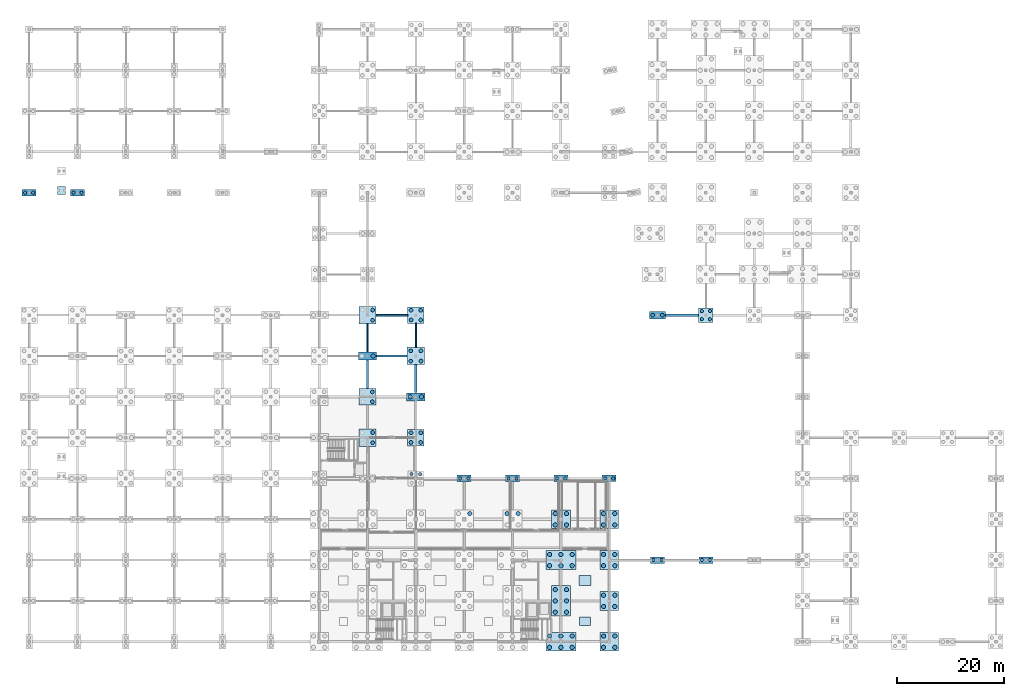
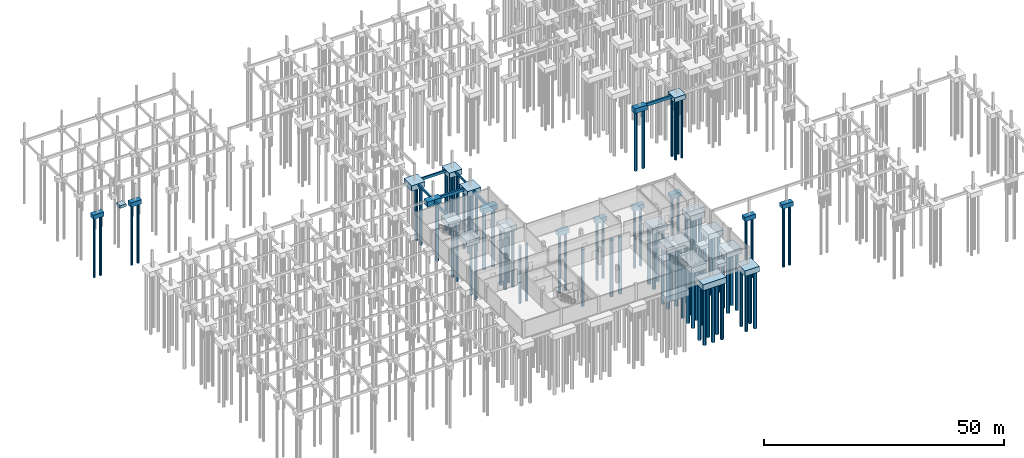
# One storey, part 5 of 28: 86 piles, 36 footings.
"""IFC4 building model written with IfcOpenShell, lengths in metres."""

from ifc_helpers import new_model, si_unit, direction, frame, origin, origin_2d, place, context, subcontext, project, spatial, rectangle, circle, extrude, material, layer, layer_set, material_profile, profile_set, type_object, element, save


model = new_model("IFC4")

# Units and contexts
model_context = context("Model", 3, precision=1e-05, world=origin(), true_north=direction((0.0, 1.0)))
body_context = subcontext(model_context, "Body", "Model", "MODEL_VIEW")
ifc_project = project(units=[si_unit("LENGTHUNIT", "METRE"), si_unit("AREAUNIT", "SQUARE_METRE"), si_unit("VOLUMEUNIT", "CUBIC_METRE"), si_unit("PLANEANGLEUNIT", "RADIAN"), si_unit("MASSUNIT", "GRAM", prefix="KILO")], contexts=[model_context])

# Site, building, storey
site_placement = place(None, origin())
site = spatial("IfcSite", under=ifc_project, at=site_placement, CompositionType="ELEMENT")
building_placement = place(site_placement, origin())
building = spatial("IfcBuilding", under=site, at=building_placement, Name="Caisbarro Railhouse Central Library", CompositionType="ELEMENT")
storey_placement = place(building_placement, frame((0.0, 0.0, -4.320068359375)))
storey = spatial("IfcBuildingStorey", under=building, at=storey_placement, Name="B01", CompositionType="ELEMENT", Elevation=-4.320068359375)

# Footings
ifc_material_1 = material(Name="Concrete C35", Category="concrete")
footing_type_1 = type_object("IfcFootingType", Name="FTG-FB01", PredefinedType="FOOTING_BEAM", material=ifc_material_1)
footing_1_placement = place(storey_placement, frame((67.53759765625, 60.800048828125, -0.64990234375), z_axis=(0.0, 0.0, 1.0), x_axis=(1.0, 0.0, 0.0)))
element("IfcFooting", 1, at=footing_1_placement, inside=storey, type_object=footing_type_1, Name="FB01 ground tie beam 152", PredefinedType="FOOTING_BEAM", context=body_context, shape_type="SweptSolid", body=[
    extrude(rectangle(XDim=5.821044921875, YDim=0.35009765625, at=origin_2d()), origin(), (0.0, 0.0, 1.0), 0.64990234375),
])
footing_type_2 = type_object("IfcFootingType", Name="FTG-FB02", PredefinedType="FOOTING_BEAM", material=ifc_material_1)
footing_2_placement = place(storey_placement, frame((63.0, 49.800048828125, -1.0), z_axis=(0.0, 0.0, 1.0), x_axis=(0.0, 1.0, 0.0)))
element("IfcFooting", 2, at=footing_2_placement, inside=storey, type_object=footing_type_2, Name="FB02 ground tie beam 149", PredefinedType="FOOTING_BEAM", context=body_context, shape_type="SweptSolid", body=[
    extrude(rectangle(XDim=5.2958984375, YDim=0.39990234375, at=origin_2d()), origin(), (0.0, 0.0, 1.0), 0.699951171875),
])
footing_type_3 = type_object("IfcFootingType", Name="FTG-FB03", PredefinedType="FOOTING_BEAM", material=ifc_material_1)
footing_3_placement = place(storey_placement, frame((67.53759765625, 53.199951171875, -0.75), z_axis=(0.0, 0.0, 1.0), x_axis=(1.0, 0.0, 0.0)))
element("IfcFooting", 3, at=footing_3_placement, inside=storey, type_object=footing_type_3, Name="FB03 ground tie beam 150", PredefinedType="FOOTING_BEAM", context=body_context, shape_type="SweptSolid", body=[
    extrude(rectangle(XDim=5.6708984375, YDim=0.449951171875, at=origin_2d()), origin(), (0.0, 0.0, 1.0), 0.75),
])
footing_4_placement = place(storey_placement, frame((72.0, 48.96240234375, -1.050048828125), z_axis=(0.0, 0.0, 1.0), x_axis=(0.0, 1.0, 0.0)))
element("IfcFooting", 4, at=footing_4_placement, inside=storey, type_object=footing_type_3, Name="FB03 ground tie beam 162", PredefinedType="FOOTING_BEAM", context=body_context, shape_type="SweptSolid", body=[
    extrude(rectangle(XDim=5.220947265625, YDim=0.449951171875, at=origin_2d()), origin(), (0.0, 0.0, 1.0), 0.75),
])
footing_5_placement = place(storey_placement, frame((121.574951171875, 60.800048828125, -0.75), z_axis=(0.0, 0.0, 1.0), x_axis=(1.0, 0.0, 0.0)))
element("IfcFooting", 5, at=footing_5_placement, inside=storey, type_object=footing_type_3, Name="FB03 ground tie beam 190", PredefinedType="FOOTING_BEAM", context=body_context, shape_type="SweptSolid", body=[
    extrude(rectangle(XDim=6.14599609375, YDim=0.449951171875, at=origin_2d()), origin(), (0.0, 0.0, 1.0), 0.75),
])
footing_type_4 = type_object("IfcFootingType", Name="FTG-FB04", PredefinedType="FOOTING_BEAM", material=ifc_material_1)
footing_6_placement = place(storey_placement, frame((63.0, 56.5625, -0.5498046875), z_axis=(0.0, 0.0, 1.0), x_axis=(0.0, 1.0, 0.0)))
element("IfcFooting", 6, at=footing_6_placement, inside=storey, type_object=footing_type_4, Name="FB04 ground tie beam 151", PredefinedType="FOOTING_BEAM", context=body_context, shape_type="SweptSolid", body=[
    extrude(rectangle(XDim=5.220947265625, YDim=0.300048828125, at=origin_2d()), origin(), (0.0, 0.0, 1.0), 0.550048828125),
])
footing_7_placement = place(storey_placement, frame((72.0, 57.03759765625, -0.5498046875), z_axis=(0.0, 0.0, 1.0), x_axis=(0.0, 1.0, 0.0)))
element("IfcFooting", 7, at=footing_7_placement, inside=storey, type_object=footing_type_4, Name="FB04 ground tie beam 163", PredefinedType="FOOTING_BEAM", context=body_context, shape_type="SweptSolid", body=[
    extrude(rectangle(XDim=4.4208984375, YDim=0.300048828125, at=origin_2d()), origin(), (0.0, 0.0, 1.0), 0.550048828125),
])
ifc_material_2 = material(Name="Concrete C40", Category="concrete")
ifc_layer_1 = layer(ifc_material_2, 1.10009765625, Name="Concrete C40")
ifc_layer_set_1 = layer_set([ifc_layer_1], Name="Concrete C40")
footing_type_5 = type_object("IfcFootingType", Name="FTG-PC02", PredefinedType="PILE_CAP", material=ifc_layer_set_1)
for number, where, z_axis, x_axis, name in (
    (8, (0.0, 83.60009765625, -1.10009765625), (0.0, 0.0, 1.0), (1.0, 0.0, 0.0), "PC02 pile cap (10)"),
    (9, (9.0, 83.60009765625, -1.10009765625), (0.0, 0.0, 1.0), (1.0, 0.0, 0.0), "PC02 pile cap (24)"),
    (10, (81.0, 30.39990234375, -1.449951171875), (0.0, 0.0, 1.0), (1.0, 0.0, 0.0), "PC02 pile cap (130)"),
    (11, (90.0, 30.39990234375, -1.449951171875), (0.0, 0.0, 1.0), (1.0, 0.0, 0.0), "PC02 pile cap (140)"),
    (12, (99.0, 30.39990234375, -1.449951171875), (0.0, 0.0, 1.0), (1.0, 0.0, 0.0), "PC02 pile cap (150)"),
    (13, (108.0, 30.39990234375, -1.449951171875), (0.0, 0.0, 1.0), (1.0, 0.0, 0.0), "PC02 pile cap (160)"),
    (14, (117.0, 15.199951171875, -1.10009765625), (0.0, 0.0, 1.0), (1.0, 0.0, 0.0), "PC02 link pile cap 2"),
    (15, (126.0, 15.199951171875, -1.10009765625), (0.0, 0.0, 1.0), (1.0, 0.0, 0.0), "PC02 link pile cap 3"),
):
    element("IfcFooting", number, at=place(storey_placement, frame(where, z_axis=z_axis, x_axis=x_axis)), inside=storey, type_object=footing_type_5, Name=name, PredefinedType="PILE_CAP", context=body_context, shape_type="SweptSolid", body=[
        extrude(rectangle(XDim=2.60009765625, YDim=1.199951171875, at=origin_2d()), origin(), (0.0, 0.0, 1.0), 1.10009765625),
    ])
ifc_layer_2 = layer(ifc_material_2, 1.199951171875, Name="Concrete C40")
ifc_layer_set_2 = layer_set([ifc_layer_2], Name="Concrete C40")
footing_type_6 = type_object("IfcFootingType", Name="FTG-PC04", PredefinedType="PILE_CAP", material=ifc_layer_set_2)
footing_8_placement = place(storey_placement, frame((126.0, 60.800048828125, -1.19970703125), z_axis=(0.0, 0.0, 1.0), x_axis=(1.0, 0.0, 0.0)))
element("IfcFooting", 16, at=footing_8_placement, inside=storey, type_object=footing_type_6, Name="PC04 pile cap (177)", PredefinedType="PILE_CAP", context=body_context, shape_type="SweptSolid", body=[
    extrude(rectangle(XDim=2.699951171875, YDim=2.699951171875, at=origin_2d()), origin(), (0.0, 0.0, 1.0), 1.199951171875),
])
ifc_layer_3 = layer(ifc_material_2, 1.219970703125, Name="Concrete C40")
ifc_layer_set_3 = layer_set([ifc_layer_3], Name="Concrete C40")
footing_type_7 = type_object("IfcFootingType", Name="FTG-PC05", PredefinedType="PILE_CAP", material=ifc_layer_set_3)
footing_9_placement = place(storey_placement, frame((117.0, 60.800048828125, -1.2197265625), z_axis=(0.0, 0.0, 1.0), x_axis=(1.0, 0.0, 0.0)))
element("IfcFooting", 17, at=footing_9_placement, inside=storey, type_object=footing_type_7, Name="PC05 pile cap (169)", PredefinedType="PILE_CAP", context=body_context, shape_type="SweptSolid", body=[
    extrude(rectangle(XDim=3.0, YDim=1.35009765625, at=origin_2d()), origin(), (0.0, 0.0, 1.0), 1.219970703125),
])
ifc_layer_4 = layer(ifc_material_2, 1.300048828125, Name="Concrete C40")
ifc_layer_set_4 = layer_set([ifc_layer_4], Name="Concrete C40")
footing_type_8 = type_object("IfcFootingType", Name="FTG-PC06", PredefinedType="PILE_CAP", material=ifc_layer_set_4)
for number, where, z_axis, x_axis, name in (
    (18, (63.0, 45.60009765625, -1.60009765625), (0.0, 0.0, 1.0), (1.0, 0.0, 0.0), "PC06 pile cap (102)"),
    (19, (72.0, 38.0, -1.60009765625), (0.0, 0.0, 1.0), (1.0, 0.0, 0.0), "PC06 pile cap (117)"),
    (20, (72.0, 60.800048828125, -1.2998046875), (0.0, 0.0, 1.0), (1.0, 0.0, 0.0), "PC06 pile cap (120)"),
):
    element("IfcFooting", number, at=place(storey_placement, frame(where, z_axis=z_axis, x_axis=x_axis)), inside=storey, type_object=footing_type_8, Name=name, PredefinedType="PILE_CAP", context=body_context, shape_type="SweptSolid", body=[
        extrude(rectangle(XDim=3.10009765625, YDim=3.10009765625, at=origin_2d()), origin(), (0.0, 0.0, 1.0), 1.300048828125),
    ])
ifc_layer_5 = layer(ifc_material_2, 1.320068359375, Name="Concrete C40")
ifc_layer_set_5 = layer_set([ifc_layer_5], Name="Concrete C40")
footing_type_9 = type_object("IfcFootingType", Name="FTG-PC07", PredefinedType="PILE_CAP", material=ifc_layer_set_5)
for number, where, z_axis, x_axis, name in (
    (21, (63.0, 53.199951171875, -1.31982421875), (0.0, 0.0, 1.0), (1.0, 0.0, 0.0), "PC07 pile cap (103)"),
    (22, (72.0, 45.60009765625, -1.6201171875), (0.0, 0.0, 1.0), (1.0, 0.0, 0.0), "PC07 pile cap (118)"),
):
    element("IfcFooting", number, at=place(storey_placement, frame(where, z_axis=z_axis, x_axis=x_axis)), inside=storey, type_object=footing_type_9, Name=name, PredefinedType="PILE_CAP", context=body_context, shape_type="SweptSolid", body=[
        extrude(rectangle(XDim=3.39990234375, YDim=1.5, at=origin_2d()), origin(), (0.0, 0.0, 1.0), 1.320068359375),
    ])
ifc_layer_6 = layer(ifc_material_2, 1.39990234375, Name="Concrete C40")
ifc_layer_set_6 = layer_set([ifc_layer_6], Name="Concrete C40")
footing_type_10 = type_object("IfcFootingType", Name="FTG-PC08", PredefinedType="PILE_CAP", material=ifc_layer_set_6)
for number, where, z_axis, x_axis, name in (
    (23, (99.0, 22.800048828125, -1.75), (0.0, 0.0, 1.0), (1.0, 0.0, 0.0), "PC08 pile cap (149)"),
    (24, (108.0, 0.0, -1.75), (0.0, 0.0, 1.0), (1.0, 0.0, 0.0), "PC08 pile cap (156)"),
    (25, (108.0, 7.60009765625, -1.75), (0.0, 0.0, 1.0), (1.0, 0.0, 0.0), "PC08 pile cap (157)"),
    (26, (108.0, 15.199951171875, -1.75), (0.0, 0.0, 1.0), (1.0, 0.0, 0.0), "PC08 pile cap (158)"),
    (27, (108.0, 22.800048828125, -1.75), (0.0, 0.0, 1.0), (1.0, 0.0, 0.0), "PC08 pile cap (159)"),
):
    element("IfcFooting", number, at=place(storey_placement, frame(where, z_axis=z_axis, x_axis=x_axis)), inside=storey, type_object=footing_type_10, Name=name, PredefinedType="PILE_CAP", context=body_context, shape_type="SweptSolid", body=[
        extrude(rectangle(XDim=3.5, YDim=3.5, at=origin_2d()), origin(), (0.0, 0.0, 1.0), 1.39990234375),
    ])
ifc_layer_7 = layer(ifc_material_2, 1.5, Name="Concrete C40")
ifc_layer_set_7 = layer_set([ifc_layer_7], Name="Concrete C40")
footing_type_11 = type_object("IfcFootingType", Name="FTG-PC09", PredefinedType="PILE_CAP", material=ifc_layer_set_7)
for number, where, z_axis, x_axis, name in (
    (28, (99.0, 0.0, -1.849853515625), (0.0, 0.0, 1.0), (1.0, 0.0, 0.0), "PC09 pile cap (146)"),
    (29, (99.0, 15.199951171875, -1.849853515625), (0.0, 0.0, 1.0), (1.0, 0.0, 0.0), "PC09 pile cap (148)"),
):
    element("IfcFooting", number, at=place(storey_placement, frame(where, z_axis=z_axis, x_axis=x_axis)), inside=storey, type_object=footing_type_11, Name=name, PredefinedType="PILE_CAP", context=body_context, shape_type="SweptSolid", body=[
        extrude(rectangle(XDim=5.60009765625, YDim=3.5, at=origin_2d()), origin(), (0.0, 0.0, 1.0), 1.5),
    ])
ifc_layer_8 = layer(ifc_material_2, 1.52001953125, Name="Concrete C40")
ifc_layer_set_8 = layer_set([ifc_layer_8], Name="Concrete C40")
footing_type_12 = type_object("IfcFootingType", Name="FTG-PC10", PredefinedType="PILE_CAP", material=ifc_layer_set_8)
footing_10_placement = place(storey_placement, frame((99.0, 7.60009765625, -1.869873046875), z_axis=(0.0, 0.0, 1.0), x_axis=(1.0, 0.0, 0.0)))
element("IfcFooting", 30, at=footing_10_placement, inside=storey, type_object=footing_type_12, Name="PC10 pile cap (147)", PredefinedType="PILE_CAP", context=body_context, shape_type="SweptSolid", body=[
    extrude(rectangle(XDim=3.550048828125, YDim=5.64990234375, at=origin_2d()), origin(), (0.0, 0.0, 1.0), 1.52001953125),
])
ifc_layer_9 = layer(ifc_material_2, 1.340087890625, Name="Concrete C40")
ifc_layer_set_9 = layer_set([ifc_layer_9], Name="Concrete C40")
footing_type_13 = type_object("IfcFootingType", Name="FTG-PC14", PredefinedType="PILE_CAP", material=ifc_layer_set_9)
for number, where, z_axis, x_axis, name in (
    (31, (63.0, 38.0, -1.64013671875), (0.0, 0.0, 1.0), (1.0, 0.0, 0.0), "PC14 pile cap (101)"),
    (32, (63.0, 60.800048828125, -1.33984375), (0.0, 0.0, 1.0), (1.0, 0.0, 0.0), "PC14 pile cap (104)"),
    (33, (72.0, 53.199951171875, -1.33984375), (0.0, 0.0, 1.0), (1.0, 0.0, 0.0), "PC14 pile cap (119)"),
):
    element("IfcFooting", number, at=place(storey_placement, frame(where, z_axis=z_axis, x_axis=x_axis)), inside=storey, type_object=footing_type_13, Name=name, PredefinedType="PILE_CAP", context=body_context, shape_type="SweptSolid", body=[
        extrude(rectangle(XDim=3.25, YDim=3.25, at=origin_2d()), origin(), (0.0, 0.0, 1.0), 1.340087890625),
    ])
ifc_layer_10 = layer(ifc_material_2, 0.699951171875, Name="Concrete C40")
ifc_layer_set_10 = layer_set([ifc_layer_10], Name="Concrete C40")
footing_type_14 = type_object("IfcFootingType", Name="FTG-PF01", PredefinedType="PAD_FOOTING", material=ifc_layer_set_10)
footing_11_placement = place(storey_placement, frame((6.0, 84.02001953125, -0.69970703125), z_axis=(0.0, 0.0, 1.0), x_axis=(1.0, 0.0, 0.0)))
element("IfcFooting", 34, at=footing_11_placement, inside=storey, type_object=footing_type_14, Name="PF01 Stair Support Pad Footing K8 S", PredefinedType="PAD_FOOTING", context=body_context, shape_type="SweptSolid", body=[
    extrude(rectangle(XDim=1.5, YDim=1.5, at=origin_2d()), origin(), (0.0, 0.0, 1.0), 0.699951171875),
])
ifc_layer_11 = layer(ifc_material_2, 0.85009765625, Name="Concrete C40")
ifc_layer_set_11 = layer_set([ifc_layer_11], Name="Concrete C40")
footing_type_15 = type_object("IfcFootingType", Name="FTG-PF03", PredefinedType="PAD_FOOTING", material=ifc_layer_set_11)
footing_12_placement = place(storey_placement, frame((103.5, 3.800048828125, -1.199951171875), z_axis=(0.0, 0.0, 1.0), x_axis=(1.0, 0.0, 0.0)))
element("IfcFooting", 35, at=footing_12_placement, inside=storey, type_object=footing_type_15, Name="PF03 equipment pad footing 7", PredefinedType="PAD_FOOTING", context=body_context, shape_type="SweptSolid", body=[
    extrude(rectangle(XDim=2.0, YDim=1.60009765625, at=origin_2d()), origin(), (0.0, 0.0, 1.0), 0.85009765625),
])
ifc_layer_12 = layer(ifc_material_2, 0.89990234375, Name="Concrete C40")
ifc_layer_set_12 = layer_set([ifc_layer_12], Name="Concrete C40")
footing_type_16 = type_object("IfcFootingType", Name="FTG-PF04", PredefinedType="PAD_FOOTING", material=ifc_layer_set_12)
footing_13_placement = place(storey_placement, frame((103.5, 11.39990234375, -1.25), z_axis=(0.0, 0.0, 1.0), x_axis=(1.0, 0.0, 0.0)))
element("IfcFooting", 36, at=footing_13_placement, inside=storey, type_object=footing_type_16, Name="PF04 equipment pad footing 8", PredefinedType="PAD_FOOTING", context=body_context, shape_type="SweptSolid", body=[
    extrude(rectangle(XDim=2.199951171875, YDim=1.800048828125, at=origin_2d()), origin(), (0.0, 0.0, 1.0), 0.89990234375),
])

# Piles
ifc_material_profile_1 = material_profile(ifc_material_1, circle(Radius=0.300048828125, at=origin_2d()), Name="PILE-CFA-600")
ifc_profile_set_1 = profile_set([ifc_material_profile_1], Name="Concrete C35")
pile_type_1 = type_object("IfcPileType", Name="PILE-CFA600", PredefinedType="BORED", material=ifc_profile_set_1)
for number, where, z_axis, x_axis, name in (
    (37, (-0.75, 83.60009765625, -1.0), (0.0, 0.0, -1.0), (1.0, 0.0, 0.0), "PL60 CFA bored pile 10.1"),
    (38, (0.75, 83.60009765625, -1.0), (0.0, 0.0, -1.0), (1.0, 0.0, 0.0), "PL60 CFA bored pile 10.2"),
    (39, (8.25, 83.60009765625, -1.0), (0.0, 0.0, -1.0), (1.0, 0.0, 0.0), "PL60 CFA bored pile 24.1"),
    (40, (9.75, 83.60009765625, -1.0), (0.0, 0.0, -1.0), (1.0, 0.0, 0.0), "PL60 CFA bored pile 24.2"),
):
    element("IfcPile", number, at=place(storey_placement, frame(where, z_axis=z_axis, x_axis=x_axis)), inside=storey, type_object=pile_type_1, Name=name, PredefinedType="BORED", context=body_context, shape_type="SweptSolid", body=[
        extrude(circle(Radius=0.300048828125, at=origin_2d()), origin(), (0.0, 0.0, 1.0), 15.179931640625),
    ])
for number, where, z_axis, x_axis, name in (
    (41, (71.199951171875, 31.199951171875, -1.5), (0.0, 0.0, -1.0), (1.0, 0.0, 0.0), "PL60 CFA bored pile 116.3"),
    (42, (72.800048828125, 31.199951171875, -1.5), (0.0, 0.0, -1.0), (1.0, 0.0, 0.0), "PL60 CFA bored pile 116.4"),
):
    element("IfcPile", number, at=place(storey_placement, frame(where, z_axis=z_axis, x_axis=x_axis)), inside=storey, type_object=pile_type_1, Name=name, PredefinedType="BORED", context=body_context, shape_type="SweptSolid", body=[
        extrude(circle(Radius=0.300048828125, at=origin_2d()), origin(), (0.0, 0.0, 1.0), 14.679931640625),
    ])
for number, where, z_axis, x_axis, name in (
    (43, (80.25, 30.39990234375, -1.349853515625), (0.0, 0.0, -1.0), (1.0, 0.0, 0.0), "PL60 CFA bored pile 130.1"),
    (44, (81.75, 30.39990234375, -1.349853515625), (0.0, 0.0, -1.0), (1.0, 0.0, 0.0), "PL60 CFA bored pile 130.2"),
    (45, (89.25, 30.39990234375, -1.349853515625), (0.0, 0.0, -1.0), (1.0, 0.0, 0.0), "PL60 CFA bored pile 140.1"),
    (46, (90.75, 30.39990234375, -1.349853515625), (0.0, 0.0, -1.0), (1.0, 0.0, 0.0), "PL60 CFA bored pile 140.2"),
    (47, (98.25, 30.39990234375, -1.349853515625), (0.0, 0.0, -1.0), (1.0, 0.0, 0.0), "PL60 CFA bored pile 150.1"),
    (48, (99.75, 30.39990234375, -1.349853515625), (0.0, 0.0, -1.0), (1.0, 0.0, 0.0), "PL60 CFA bored pile 150.2"),
    (49, (107.25, 30.39990234375, -1.349853515625), (0.0, 0.0, -1.0), (1.0, 0.0, 0.0), "PL60 CFA bored pile 160.1"),
    (50, (108.75, 30.39990234375, -1.349853515625), (0.0, 0.0, -1.0), (1.0, 0.0, 0.0), "PL60 CFA bored pile 160.2"),
):
    element("IfcPile", number, at=place(storey_placement, frame(where, z_axis=z_axis, x_axis=x_axis)), inside=storey, type_object=pile_type_1, Name=name, PredefinedType="BORED", context=body_context, shape_type="SweptSolid", body=[
        extrude(circle(Radius=0.300048828125, at=origin_2d()), origin(), (0.0, 0.0, 1.0), 14.830078125),
    ])
for number, where, z_axis, x_axis, name in (
    (51, (125.25, 60.050048828125, -1.099853515625), (0.0, 0.0, -1.0), (1.0, 0.0, 0.0), "PL60 CFA bored pile 177.1"),
    (52, (126.75, 60.050048828125, -1.099853515625), (0.0, 0.0, -1.0), (1.0, 0.0, 0.0), "PL60 CFA bored pile 177.2"),
    (53, (125.25, 61.550048828125, -1.099853515625), (0.0, 0.0, -1.0), (1.0, 0.0, 0.0), "PL60 CFA bored pile 177.3"),
    (54, (126.75, 61.550048828125, -1.099853515625), (0.0, 0.0, -1.0), (1.0, 0.0, 0.0), "PL60 CFA bored pile 177.4"),
):
    element("IfcPile", number, at=place(storey_placement, frame(where, z_axis=z_axis, x_axis=x_axis)), inside=storey, type_object=pile_type_1, Name=name, PredefinedType="BORED", context=body_context, shape_type="SweptSolid", body=[
        extrude(circle(Radius=0.300048828125, at=origin_2d()), origin(), (0.0, 0.0, 1.0), 15.080078125),
    ])
for number, where, z_axis, x_axis, name in (
    (55, (116.25, 15.199951171875, -1.0), (0.0, 0.0, -1.0), (1.0, 0.0, 0.0), "PL60 CFA link pile 2.1"),
    (56, (117.75, 15.199951171875, -1.0), (0.0, 0.0, -1.0), (1.0, 0.0, 0.0), "PL60 CFA link pile 2.2"),
    (57, (125.25, 15.199951171875, -1.0), (0.0, 0.0, -1.0), (1.0, 0.0, 0.0), "PL60 CFA link pile 3.1"),
    (58, (126.75, 15.199951171875, -1.0), (0.0, 0.0, -1.0), (1.0, 0.0, 0.0), "PL60 CFA link pile 3.2"),
):
    element("IfcPile", number, at=place(storey_placement, frame(where, z_axis=z_axis, x_axis=x_axis)), inside=storey, type_object=pile_type_1, Name=name, PredefinedType="BORED", context=body_context, shape_type="SweptSolid", body=[
        extrude(circle(Radius=0.300048828125, at=origin_2d()), origin(), (0.0, 0.0, 1.0), 15.179931640625),
    ])
ifc_material_profile_2 = material_profile(ifc_material_1, circle(Radius=0.35009765625, at=origin_2d()), Name="PILE-CFA-700")
ifc_profile_set_2 = profile_set([ifc_material_profile_2], Name="Concrete C35")
pile_type_2 = type_object("IfcPileType", Name="PILE-CFA700", PredefinedType="BORED", material=ifc_profile_set_2)
for number, where, z_axis, x_axis, name in (
    (59, (63.949951171875, 37.050048828125, -1.5400390625), (0.0, 0.0, -1.0), (1.0, 0.0, 0.0), "PL70 CFA bored pile 101.2"),
    (60, (63.949951171875, 38.949951171875, -1.5400390625), (0.0, 0.0, -1.0), (1.0, 0.0, 0.0), "PL70 CFA bored pile 101.4"),
):
    element("IfcPile", number, at=place(storey_placement, frame(where, z_axis=z_axis, x_axis=x_axis)), inside=storey, type_object=pile_type_2, Name=name, PredefinedType="BORED", context=body_context, shape_type="SweptSolid", body=[
        extrude(circle(Radius=0.35009765625, at=origin_2d()), origin(), (0.0, 0.0, 1.0), 14.639892578125),
    ])
for number, where, z_axis, x_axis, name in (
    (61, (63.89990234375, 44.699951171875, -1.5), (0.0, 0.0, -1.0), (1.0, 0.0, 0.0), "PL70 CFA bored pile 102.2"),
    (62, (63.89990234375, 46.5, -1.5), (0.0, 0.0, -1.0), (1.0, 0.0, 0.0), "PL70 CFA bored pile 102.4"),
):
    element("IfcPile", number, at=place(storey_placement, frame(where, z_axis=z_axis, x_axis=x_axis)), inside=storey, type_object=pile_type_2, Name=name, PredefinedType="BORED", context=body_context, shape_type="SweptSolid", body=[
        extrude(circle(Radius=0.35009765625, at=origin_2d()), origin(), (0.0, 0.0, 1.0), 14.679931640625),
    ])
for number, where, z_axis, x_axis, name in (
    (63, (63.949951171875, 59.85009765625, -1.239990234375), (0.0, 0.0, -1.0), (1.0, 0.0, 0.0), "PL70 CFA bored pile 104.2"),
    (64, (63.949951171875, 61.75, -1.239990234375), (0.0, 0.0, -1.0), (1.0, 0.0, 0.0), "PL70 CFA bored pile 104.4"),
):
    element("IfcPile", number, at=place(storey_placement, frame(where, z_axis=z_axis, x_axis=x_axis)), inside=storey, type_object=pile_type_2, Name=name, PredefinedType="BORED", context=body_context, shape_type="SweptSolid", body=[
        extrude(circle(Radius=0.35009765625, at=origin_2d()), origin(), (0.0, 0.0, 1.0), 14.93994140625),
    ])
for number, where, z_axis, x_axis, name in (
    (65, (71.10009765625, 37.10009765625, -1.5), (0.0, 0.0, -1.0), (1.0, 0.0, 0.0), "PL70 CFA bored pile 117.1"),
    (66, (72.89990234375, 37.10009765625, -1.5), (0.0, 0.0, -1.0), (1.0, 0.0, 0.0), "PL70 CFA bored pile 117.2"),
    (67, (71.10009765625, 38.89990234375, -1.5), (0.0, 0.0, -1.0), (1.0, 0.0, 0.0), "PL70 CFA bored pile 117.3"),
    (68, (72.89990234375, 38.89990234375, -1.5), (0.0, 0.0, -1.0), (1.0, 0.0, 0.0), "PL70 CFA bored pile 117.4"),
):
    element("IfcPile", number, at=place(storey_placement, frame(where, z_axis=z_axis, x_axis=x_axis)), inside=storey, type_object=pile_type_2, Name=name, PredefinedType="BORED", context=body_context, shape_type="SweptSolid", body=[
        extrude(circle(Radius=0.35009765625, at=origin_2d()), origin(), (0.0, 0.0, 1.0), 14.679931640625),
    ])
for number, where, z_axis, x_axis, name in (
    (69, (71.050048828125, 52.25, -1.239990234375), (0.0, 0.0, -1.0), (1.0, 0.0, 0.0), "PL70 CFA bored pile 119.1"),
    (70, (72.949951171875, 52.25, -1.239990234375), (0.0, 0.0, -1.0), (1.0, 0.0, 0.0), "PL70 CFA bored pile 119.2"),
    (71, (71.050048828125, 54.14990234375, -1.239990234375), (0.0, 0.0, -1.0), (1.0, 0.0, 0.0), "PL70 CFA bored pile 119.3"),
    (72, (72.949951171875, 54.14990234375, -1.239990234375), (0.0, 0.0, -1.0), (1.0, 0.0, 0.0), "PL70 CFA bored pile 119.4"),
):
    element("IfcPile", number, at=place(storey_placement, frame(where, z_axis=z_axis, x_axis=x_axis)), inside=storey, type_object=pile_type_2, Name=name, PredefinedType="BORED", context=body_context, shape_type="SweptSolid", body=[
        extrude(circle(Radius=0.35009765625, at=origin_2d()), origin(), (0.0, 0.0, 1.0), 14.93994140625),
    ])
for number, where, z_axis, x_axis, name in (
    (73, (71.10009765625, 59.89990234375, -1.199951171875), (0.0, 0.0, -1.0), (1.0, 0.0, 0.0), "PL70 CFA bored pile 120.1"),
    (74, (72.89990234375, 59.89990234375, -1.199951171875), (0.0, 0.0, -1.0), (1.0, 0.0, 0.0), "PL70 CFA bored pile 120.2"),
    (75, (71.10009765625, 61.699951171875, -1.199951171875), (0.0, 0.0, -1.0), (1.0, 0.0, 0.0), "PL70 CFA bored pile 120.3"),
    (76, (72.89990234375, 61.699951171875, -1.199951171875), (0.0, 0.0, -1.0), (1.0, 0.0, 0.0), "PL70 CFA bored pile 120.4"),
):
    element("IfcPile", number, at=place(storey_placement, frame(where, z_axis=z_axis, x_axis=x_axis)), inside=storey, type_object=pile_type_2, Name=name, PredefinedType="BORED", context=body_context, shape_type="SweptSolid", body=[
        extrude(circle(Radius=0.35009765625, at=origin_2d()), origin(), (0.0, 0.0, 1.0), 14.97998046875),
    ])
for number, where, z_axis, x_axis, name in (
    (77, (116.10009765625, 60.800048828125, -1.119873046875), (0.0, 0.0, -1.0), (1.0, 0.0, 0.0), "PL70 CFA bored pile 169.1"),
    (78, (117.89990234375, 60.800048828125, -1.119873046875), (0.0, 0.0, -1.0), (1.0, 0.0, 0.0), "PL70 CFA bored pile 169.2"),
):
    element("IfcPile", number, at=place(storey_placement, frame(where, z_axis=z_axis, x_axis=x_axis)), inside=storey, type_object=pile_type_2, Name=name, PredefinedType="BORED", context=body_context, shape_type="SweptSolid", body=[
        extrude(circle(Radius=0.35009765625, at=origin_2d()), origin(), (0.0, 0.0, 1.0), 15.06005859375),
    ])
ifc_material_profile_3 = material_profile(ifc_material_1, circle(Radius=0.39990234375, at=origin_2d()), Name="PILE-CFA-800")
ifc_profile_set_3 = profile_set([ifc_material_profile_3], Name="Concrete C35")
pile_type_3 = type_object("IfcPileType", Name="PILE-CFA800", PredefinedType="BORED", material=ifc_profile_set_3)
pile_placement = place(storey_placement, frame((64.050048828125, 53.199951171875, -1.219970703125), z_axis=(0.0, 0.0, -1.0), x_axis=(1.0, 0.0, 0.0)))
element("IfcPile", 79, at=pile_placement, inside=storey, type_object=pile_type_3, Name="PL80 CFA bored pile 103.2", PredefinedType="BORED", context=body_context, shape_type="SweptSolid", body=[
    extrude(circle(Radius=0.39990234375, at=origin_2d()), origin(), (0.0, 0.0, 1.0), 14.9599609375),
])
for number, where, z_axis, x_axis, name in (
    (80, (70.949951171875, 45.60009765625, -1.52001953125), (0.0, 0.0, -1.0), (1.0, 0.0, 0.0), "PL80 CFA bored pile 118.1"),
    (81, (73.050048828125, 45.60009765625, -1.52001953125), (0.0, 0.0, -1.0), (1.0, 0.0, 0.0), "PL80 CFA bored pile 118.2"),
):
    element("IfcPile", number, at=place(storey_placement, frame(where, z_axis=z_axis, x_axis=x_axis)), inside=storey, type_object=pile_type_3, Name=name, PredefinedType="BORED", context=body_context, shape_type="SweptSolid", body=[
        extrude(circle(Radius=0.39990234375, at=origin_2d()), origin(), (0.0, 0.0, 1.0), 14.659912109375),
    ])
for number, where, z_axis, x_axis, name in (
    (82, (82.050048828125, 23.85009765625, -1.64990234375), (0.0, 0.0, -1.0), (1.0, 0.0, 0.0), "PL80 CFA bored pile 129.4"),
    (83, (88.949951171875, 23.85009765625, -1.64990234375), (0.0, 0.0, -1.0), (1.0, 0.0, 0.0), "PL80 CFA bored pile 139.3"),
    (84, (91.050048828125, 23.85009765625, -1.64990234375), (0.0, 0.0, -1.0), (1.0, 0.0, 0.0), "PL80 CFA bored pile 139.4"),
):
    element("IfcPile", number, at=place(storey_placement, frame(where, z_axis=z_axis, x_axis=x_axis)), inside=storey, type_object=pile_type_3, Name=name, PredefinedType="BORED", context=body_context, shape_type="SweptSolid", body=[
        extrude(circle(Radius=0.39990234375, at=origin_2d()), origin(), (0.0, 0.0, 1.0), 14.530029296875),
    ])
for number, where, z_axis, x_axis, name in (
    (85, (96.89990234375, -1.050048828125, -1.75), (0.0, 0.0, -1.0), (1.0, 0.0, 0.0), "PL80 CFA bored pile 146.1"),
    (86, (99.0, -1.050048828125, -1.75), (0.0, 0.0, -1.0), (1.0, 0.0, 0.0), "PL80 CFA bored pile 146.2"),
    (87, (101.10009765625, -1.050048828125, -1.75), (0.0, 0.0, -1.0), (1.0, 0.0, 0.0), "PL80 CFA bored pile 146.3"),
    (88, (96.89990234375, 1.050048828125, -1.75), (0.0, 0.0, -1.0), (1.0, 0.0, 0.0), "PL80 CFA bored pile 146.4"),
    (89, (99.0, 1.050048828125, -1.75), (0.0, 0.0, -1.0), (1.0, 0.0, 0.0), "PL80 CFA bored pile 146.5"),
    (90, (101.10009765625, 1.050048828125, -1.75), (0.0, 0.0, -1.0), (1.0, 0.0, 0.0), "PL80 CFA bored pile 146.6"),
):
    element("IfcPile", number, at=place(storey_placement, frame(where, z_axis=z_axis, x_axis=x_axis)), inside=storey, type_object=pile_type_3, Name=name, PredefinedType="BORED", context=body_context, shape_type="SweptSolid", body=[
        extrude(circle(Radius=0.39990234375, at=origin_2d()), origin(), (0.0, 0.0, 1.0), 14.429931640625),
    ])
for number, where, z_axis, x_axis, name in (
    (91, (97.949951171875, 5.5, -1.77001953125), (0.0, 0.0, -1.0), (1.0, 0.0, 0.0), "PL80 CFA bored pile 147.1"),
    (92, (100.050048828125, 5.5, -1.77001953125), (0.0, 0.0, -1.0), (1.0, 0.0, 0.0), "PL80 CFA bored pile 147.2"),
    (93, (97.949951171875, 7.60009765625, -1.77001953125), (0.0, 0.0, -1.0), (1.0, 0.0, 0.0), "PL80 CFA bored pile 147.3"),
    (94, (100.050048828125, 7.60009765625, -1.77001953125), (0.0, 0.0, -1.0), (1.0, 0.0, 0.0), "PL80 CFA bored pile 147.4"),
    (95, (97.949951171875, 9.699951171875, -1.77001953125), (0.0, 0.0, -1.0), (1.0, 0.0, 0.0), "PL80 CFA bored pile 147.5"),
    (96, (100.050048828125, 9.699951171875, -1.77001953125), (0.0, 0.0, -1.0), (1.0, 0.0, 0.0), "PL80 CFA bored pile 147.6"),
):
    element("IfcPile", number, at=place(storey_placement, frame(where, z_axis=z_axis, x_axis=x_axis)), inside=storey, type_object=pile_type_3, Name=name, PredefinedType="BORED", context=body_context, shape_type="SweptSolid", body=[
        extrude(circle(Radius=0.39990234375, at=origin_2d()), origin(), (0.0, 0.0, 1.0), 14.409912109375),
    ])
for number, where, z_axis, x_axis, name in (
    (97, (96.89990234375, 14.14990234375, -1.75), (0.0, 0.0, -1.0), (1.0, 0.0, 0.0), "PL80 CFA bored pile 148.1"),
    (98, (99.0, 14.14990234375, -1.75), (0.0, 0.0, -1.0), (1.0, 0.0, 0.0), "PL80 CFA bored pile 148.2"),
    (99, (101.10009765625, 14.14990234375, -1.75), (0.0, 0.0, -1.0), (1.0, 0.0, 0.0), "PL80 CFA bored pile 148.3"),
    (100, (96.89990234375, 16.25, -1.75), (0.0, 0.0, -1.0), (1.0, 0.0, 0.0), "PL80 CFA bored pile 148.4"),
    (101, (99.0, 16.25, -1.75), (0.0, 0.0, -1.0), (1.0, 0.0, 0.0), "PL80 CFA bored pile 148.5"),
    (102, (101.10009765625, 16.25, -1.75), (0.0, 0.0, -1.0), (1.0, 0.0, 0.0), "PL80 CFA bored pile 148.6"),
):
    element("IfcPile", number, at=place(storey_placement, frame(where, z_axis=z_axis, x_axis=x_axis)), inside=storey, type_object=pile_type_3, Name=name, PredefinedType="BORED", context=body_context, shape_type="SweptSolid", body=[
        extrude(circle(Radius=0.39990234375, at=origin_2d()), origin(), (0.0, 0.0, 1.0), 14.429931640625),
    ])
for number, where, z_axis, x_axis, name in (
    (103, (97.949951171875, 21.75, -1.64990234375), (0.0, 0.0, -1.0), (1.0, 0.0, 0.0), "PL80 CFA bored pile 149.1"),
    (104, (100.050048828125, 21.75, -1.64990234375), (0.0, 0.0, -1.0), (1.0, 0.0, 0.0), "PL80 CFA bored pile 149.2"),
    (105, (97.949951171875, 23.85009765625, -1.64990234375), (0.0, 0.0, -1.0), (1.0, 0.0, 0.0), "PL80 CFA bored pile 149.3"),
    (106, (100.050048828125, 23.85009765625, -1.64990234375), (0.0, 0.0, -1.0), (1.0, 0.0, 0.0), "PL80 CFA bored pile 149.4"),
    (107, (106.949951171875, -1.050048828125, -1.64990234375), (0.0, 0.0, -1.0), (1.0, 0.0, 0.0), "PL80 CFA bored pile 156.1"),
    (108, (109.050048828125, -1.050048828125, -1.64990234375), (0.0, 0.0, -1.0), (1.0, 0.0, 0.0), "PL80 CFA bored pile 156.2"),
    (109, (106.949951171875, 1.050048828125, -1.64990234375), (0.0, 0.0, -1.0), (1.0, 0.0, 0.0), "PL80 CFA bored pile 156.3"),
    (110, (109.050048828125, 1.050048828125, -1.64990234375), (0.0, 0.0, -1.0), (1.0, 0.0, 0.0), "PL80 CFA bored pile 156.4"),
    (111, (106.949951171875, 6.550048828125, -1.64990234375), (0.0, 0.0, -1.0), (1.0, 0.0, 0.0), "PL80 CFA bored pile 157.1"),
    (112, (109.050048828125, 6.550048828125, -1.64990234375), (0.0, 0.0, -1.0), (1.0, 0.0, 0.0), "PL80 CFA bored pile 157.2"),
    (113, (106.949951171875, 8.64990234375, -1.64990234375), (0.0, 0.0, -1.0), (1.0, 0.0, 0.0), "PL80 CFA bored pile 157.3"),
    (114, (109.050048828125, 8.64990234375, -1.64990234375), (0.0, 0.0, -1.0), (1.0, 0.0, 0.0), "PL80 CFA bored pile 157.4"),
    (115, (106.949951171875, 14.14990234375, -1.64990234375), (0.0, 0.0, -1.0), (1.0, 0.0, 0.0), "PL80 CFA bored pile 158.1"),
    (116, (109.050048828125, 14.14990234375, -1.64990234375), (0.0, 0.0, -1.0), (1.0, 0.0, 0.0), "PL80 CFA bored pile 158.2"),
    (117, (106.949951171875, 16.25, -1.64990234375), (0.0, 0.0, -1.0), (1.0, 0.0, 0.0), "PL80 CFA bored pile 158.3"),
    (118, (109.050048828125, 16.25, -1.64990234375), (0.0, 0.0, -1.0), (1.0, 0.0, 0.0), "PL80 CFA bored pile 158.4"),
    (119, (106.949951171875, 21.75, -1.64990234375), (0.0, 0.0, -1.0), (1.0, 0.0, 0.0), "PL80 CFA bored pile 159.1"),
    (120, (109.050048828125, 21.75, -1.64990234375), (0.0, 0.0, -1.0), (1.0, 0.0, 0.0), "PL80 CFA bored pile 159.2"),
    (121, (106.949951171875, 23.85009765625, -1.64990234375), (0.0, 0.0, -1.0), (1.0, 0.0, 0.0), "PL80 CFA bored pile 159.3"),
    (122, (109.050048828125, 23.85009765625, -1.64990234375), (0.0, 0.0, -1.0), (1.0, 0.0, 0.0), "PL80 CFA bored pile 159.4"),
):
    element("IfcPile", number, at=place(storey_placement, frame(where, z_axis=z_axis, x_axis=x_axis)), inside=storey, type_object=pile_type_3, Name=name, PredefinedType="BORED", context=body_context, shape_type="SweptSolid", body=[
        extrude(circle(Radius=0.39990234375, at=origin_2d()), origin(), (0.0, 0.0, 1.0), 14.530029296875),
    ])

save(model, "model.ifc")
